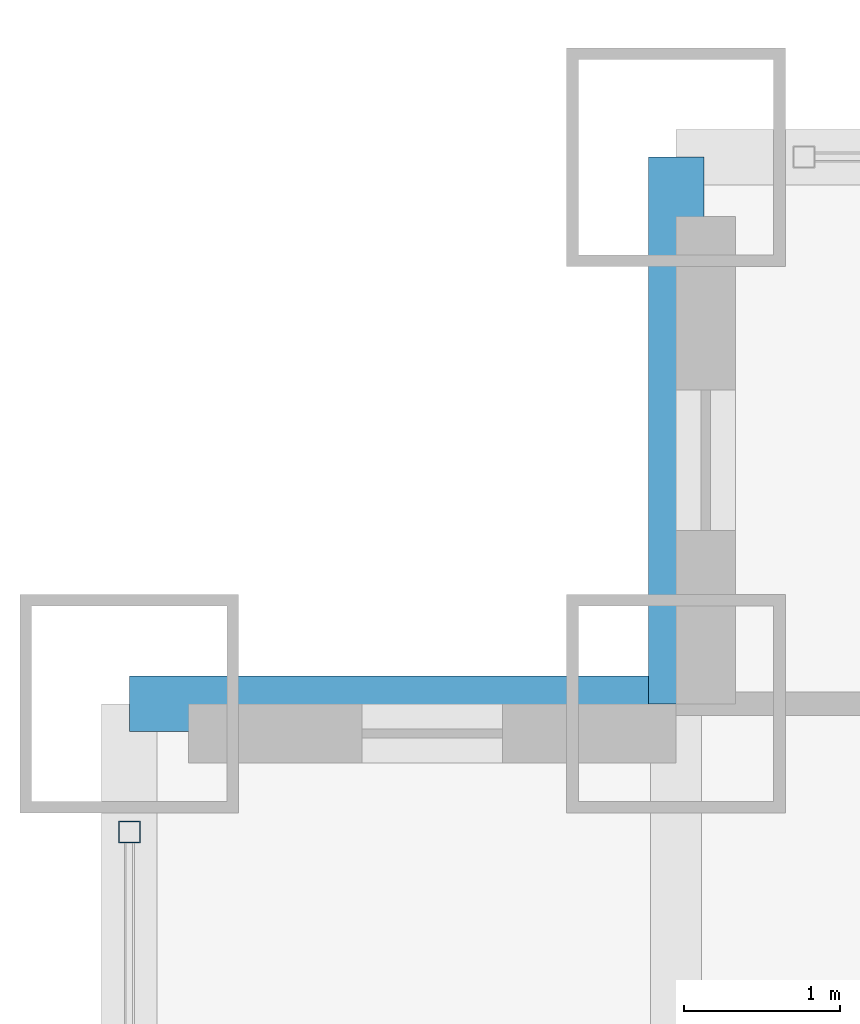
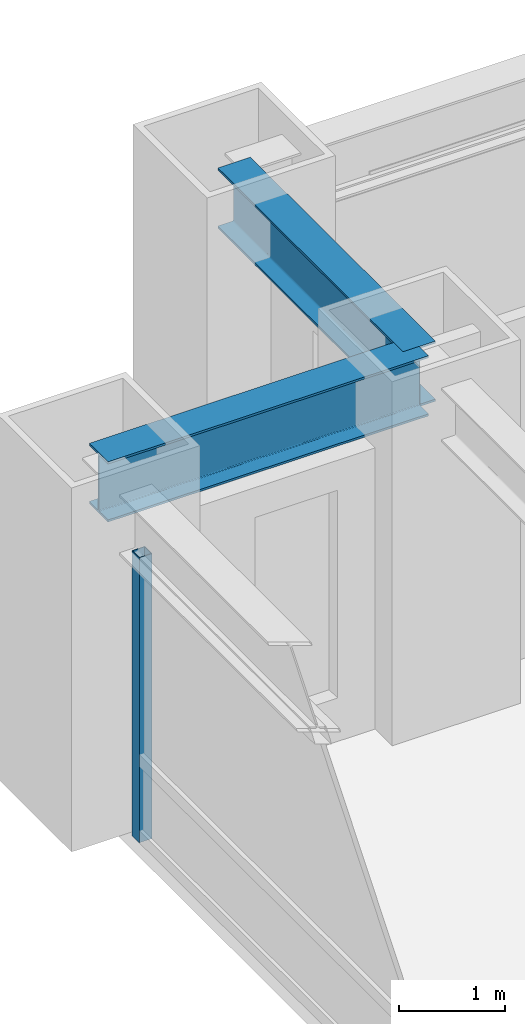
# One storey, part 10 of 32: 2 beams, 1 member, 1 element without a shape of its own.
"""IFC4 building model written with IfcOpenShell, lengths in metres."""

from ifc_helpers import new_model, si_unit, direction, frame, origin, origin_2d, place, context, subcontext, project, spatial, hollow_rectangle, i_section, extrude, source, transform, mapped, material, material_profile, profile_set, type_object, element, aggregate, save


model = new_model("IFC4")

# Units and contexts
model_context = context("Model", 3, precision=1e-05, world=origin(), true_north=direction((0.0, 1.0)))
body_context = subcontext(model_context, "Body", "Model", "MODEL_VIEW")
ifc_project = project(units=[si_unit("LENGTHUNIT", "METRE"), si_unit("AREAUNIT", "SQUARE_METRE"), si_unit("VOLUMEUNIT", "CUBIC_METRE"), si_unit("PLANEANGLEUNIT", "RADIAN"), si_unit("MASSUNIT", "GRAM", prefix="KILO")], contexts=[model_context])

# Site, building, storey
site_placement = place(None, origin())
site = spatial("IfcSite", under=ifc_project, at=site_placement, CompositionType="ELEMENT")
building_placement = place(site_placement, origin())
building = spatial("IfcBuilding", under=site, at=building_placement, Name="Khorayat Bourse Tower", CompositionType="ELEMENT")
storey_placement = place(building_placement, frame((0.0, 0.0, 78.800048828125)))
storey = spatial("IfcBuildingStorey", under=building, at=storey_placement, Name="L17", CompositionType="ELEMENT", Elevation=78.800048828125)

# Beams
ifc_material_1 = material(Name="Steel ASTM A992 Grade 50", Category="steel")
ifc_material_profile_1 = material_profile(ifc_material_1, i_section(OverallWidth=0.35498046875, OverallDepth=0.695068359375, WebThickness=0.015380859375, FlangeThickness=0.02490234375, FilletRadius=0.01806640625, at=origin_2d()), Name="W690X217")
ifc_profile_set_1 = profile_set([ifc_material_profile_1], Name="Steel ASTM A992 Grade 50")
beam_type = type_object("IfcBeamType", Name="BM-SPAN-690", PredefinedType="SPANDREL", material=ifc_profile_set_1)
shared_shape_1 = source(origin(), body_context, "Body", "SweptSolid", [
    extrude(i_section(OverallWidth=0.35498046875, OverallDepth=0.695068359375, WebThickness=0.015380859375, FlangeThickness=0.02490234375, FilletRadius=0.01806640625, at=origin_2d()), origin(), (0.0, 0.0, 1.0), 3.5),
])
for number, where, z_axis, x_axis, name in (
    (1, (-28.5, 28.5, 3.592529296875), (0.0, 1.0, 0.0), (-1.0, 0.0, 0.0), "L17 BM-SPAN-690 BM-L17-SPN-052"),
    (2, (-32.0, 28.5, 3.592529296875), (1.0, 0.0, 0.0), (0.0, 1.0, 0.0), "L17 BM-SPAN-690 BM-L17-SPN-053"),
):
    element("IfcBeam", number, at=place(storey_placement, frame(where, z_axis=z_axis, x_axis=x_axis)), inside=storey, type_object=beam_type, Name=name, PredefinedType="SPANDREL", context=body_context, shape_type="MappedRepresentation", body=[
        mapped(shared_shape_1, transform((0.0, 0.0, 0.0), scale=1.0)),
    ])

# Curtain wall, member
ifc_material_2 = material(Name="Aluminium EN AW-6063 T6", Category="aluminium")
curtain_wall_type = type_object("IfcCurtainWallType", Name="CW-SYS-02", PredefinedType="NOTDEFINED", material=ifc_material_2)
curtain_wall_placement = place(storey_placement, origin())
curtain_wall = element("IfcCurtainWall", 3, at=curtain_wall_placement, inside=storey, type_object=curtain_wall_type, Name="L17 Curtain Wall CW-L17-W1", PredefinedType="NOTDEFINED")
ifc_material_profile_2 = material_profile(ifc_material_2, hollow_rectangle(XDim=0.139892578125, YDim=0.139892578125, WallThickness=0.006103515625, at=origin_2d()), Name="ALU 140x140x6")
ifc_profile_set_2 = profile_set([ifc_material_profile_2], Name="Aluminium EN AW-6063 T6")
member_type = type_object("IfcMemberType", Name="CWM-VERT-140", PredefinedType="MULLION", material=ifc_profile_set_2)
shared_shape_2 = source(origin(), body_context, "Body", "SweptSolid", [
    extrude(hollow_rectangle(XDim=0.139892578125, YDim=0.139892578125, WallThickness=0.006103515625, at=origin_2d()), origin(), (0.0, 0.0, 1.0), 3.2900390625),
])
member_placement = place(storey_placement, frame((-32.0, 27.679931640625, 0.0), z_axis=(0.0, 0.0, 1.0), x_axis=(-1.0, 0.0, 0.0)))
member = element("IfcMember", 4, at=member_placement, type_object=member_type, Name="CW-L17-W1 Vertical Mullion 3", PredefinedType="MULLION", context=body_context, shape_type="MappedRepresentation", body=[
    mapped(shared_shape_2, transform((0.0, 0.0, 0.0), scale=1.0)),
])
aggregate(curtain_wall, [member])

save(model, "model.ifc")
